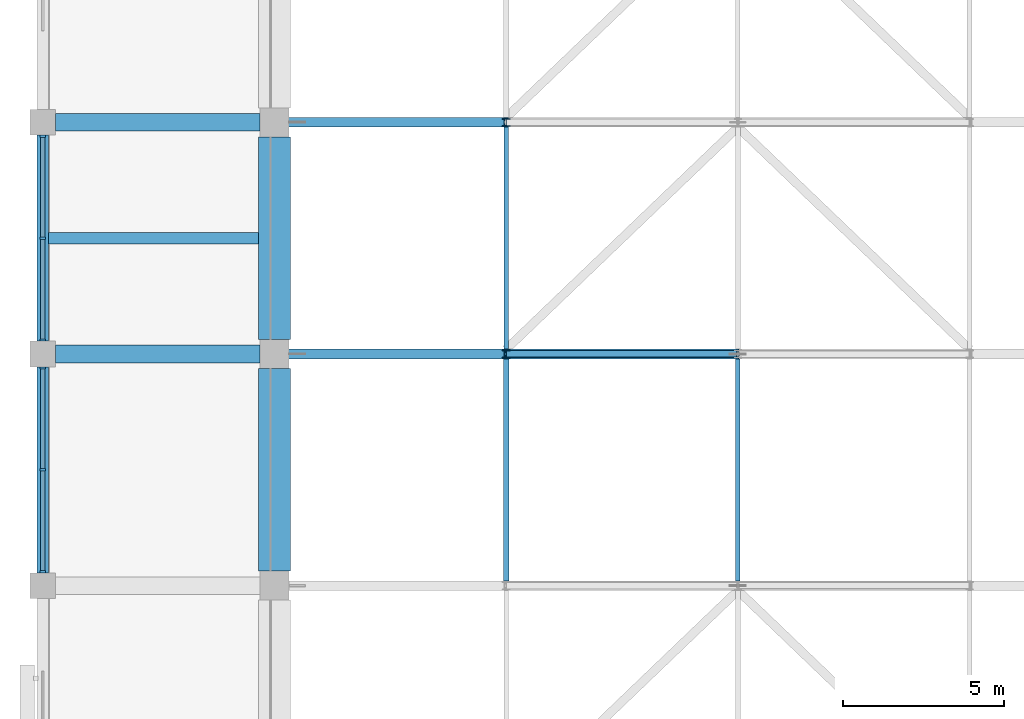
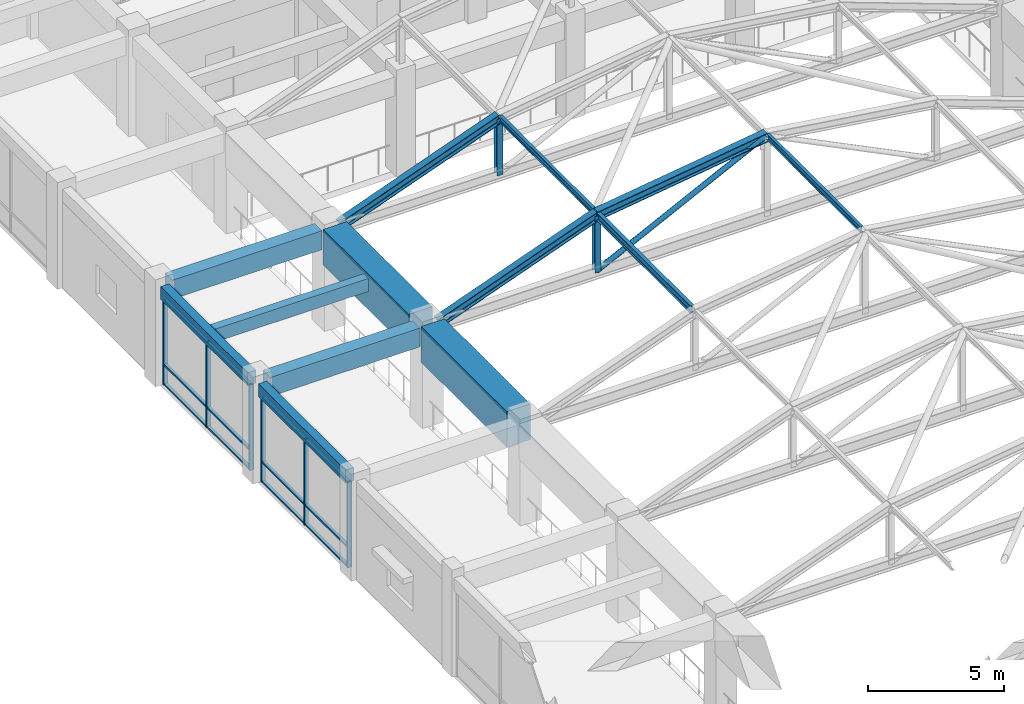
# One storey, part 20 of 75: 27 members, 7 beams, 2 elements without a shape of their own.
"""IFC4 building model written with IfcOpenShell, lengths in metres."""

from ifc_helpers import new_model, si_unit, direction, frame, origin, origin_2d, place, context, subcontext, project, spatial, rectangle, hollow_circle, i_section, extrude, material, layer, layer_set, material_profile, profile_set, type_object, element, aggregate, save


model = new_model("IFC4")

# Units and contexts
model_context = context("Model", 3, precision=1e-05, world=origin(), true_north=direction((0.0, 1.0)))
body_context = subcontext(model_context, "Body", "Model", "MODEL_VIEW")
ifc_project = project(units=[si_unit("LENGTHUNIT", "METRE"), si_unit("AREAUNIT", "SQUARE_METRE"), si_unit("VOLUMEUNIT", "CUBIC_METRE"), si_unit("PLANEANGLEUNIT", "RADIAN"), si_unit("MASSUNIT", "GRAM", prefix="KILO")], contexts=[model_context])

# Site, building, storey
site_placement = place(None, origin())
site = spatial("IfcSite", under=ifc_project, at=site_placement, CompositionType="ELEMENT")
building_placement = place(site_placement, origin())
building = spatial("IfcBuilding", under=site, at=building_placement, Name="Cendaluz Park School", CompositionType="ELEMENT")
storey_placement = place(building_placement, frame((0.0, 0.0, 4.800048828125)))
storey = spatial("IfcBuildingStorey", under=building, at=storey_placement, Name="L01", CompositionType="ELEMENT", Elevation=4.800048828125)

# Beams
ifc_material_1 = material(Name="Concrete C40/50", Category="concrete")
ifc_material_profile_1 = material_profile(ifc_material_1, rectangle(XDim=0.550048828125, YDim=0.85009765625, at=origin_2d()), Name="RC 550x850", Category="concrete")
ifc_profile_set_1 = profile_set([ifc_material_profile_1], Name="Concrete C40/50")
beam_type_1 = type_object("IfcBeamType", Name="BM-RC01", PredefinedType="BEAM", material=ifc_profile_set_1)
for number, where, z_axis, x_axis, name in (
    (1, (0.39990234375, 86.39990234375, 4.0048828125), (1.0, 0.0, 0.0), (0.0, 1.0, 0.0), "BM-L01-BMRC01-0010"),
    (2, (0.39990234375, 93.60009765625, 4.0048828125), (1.0, 0.0, 0.0), (0.0, 1.0, 0.0), "BM-L01-BMRC01-0011"),
):
    element("IfcBeam", number, at=place(storey_placement, frame(where, z_axis=z_axis, x_axis=x_axis)), inside=storey, type_object=beam_type_1, Name=name, PredefinedType="BEAM", context=body_context, shape_type="SweptSolid", body=[
        extrude(rectangle(XDim=0.550048828125, YDim=0.85009765625, at=origin_2d()), origin(), (0.0, 0.0, 1.0), 6.35009765625),
    ])
ifc_material_profile_2 = material_profile(ifc_material_1, rectangle(XDim=0.35009765625, YDim=0.580078125, at=origin_2d()), Name="RC 350x580", Category="concrete")
ifc_profile_set_2 = profile_set([ifc_material_profile_2], Name="Concrete C40/50")
beam_type_2 = type_object("IfcBeamType", Name="BM-RC04", PredefinedType="LINTEL", material=ifc_profile_set_2)
for number, where, z_axis, x_axis, name in (
    (3, (0.0, 79.60009765625, 4.139892578125), (0.0, 1.0, 0.0), (-1.0, 0.0, 0.0), "BM-L01-BMRC04-0232"),
    (4, (0.0, 86.800048828125, 4.139892578125), (0.0, 1.0, 0.0), (-1.0, 0.0, 0.0), "BM-L01-BMRC04-0233"),
):
    element("IfcBeam", number, at=place(storey_placement, frame(where, z_axis=z_axis, x_axis=x_axis)), inside=storey, type_object=beam_type_2, Name=name, PredefinedType="LINTEL", context=body_context, shape_type="SweptSolid", body=[
        extrude(rectangle(XDim=0.35009765625, YDim=0.580078125, at=origin_2d()), origin(), (0.0, 0.0, 1.0), 6.39990234375),
    ])

# Curtain wall, members
ifc_material_2 = material(Name="Anodised Aluminium 6063-T6", Category="aluminium")
ifc_layer = layer(ifc_material_2, 0.179931640625)
ifc_layer_set = layer_set([ifc_layer], Name="Anodised Aluminium 6063-T6")
curtain_wall_type = type_object("IfcCurtainWallType", Name="CW-128x77", PredefinedType="NOTDEFINED", material=ifc_layer_set)
curtain_wall_1_placement = place(storey_placement, origin())
curtain_wall_1 = element("IfcCurtainWall", 5, at=curtain_wall_1_placement, inside=storey, type_object=curtain_wall_type, Name="CW-L01-008", PredefinedType="NOTDEFINED")
ifc_material_profile_3 = material_profile(ifc_material_2, rectangle(XDim=0.179931640625, YDim=0.070068359375, at=origin_2d()), Name="CWM 180x70", Category="aluminium")
ifc_profile_set_3 = profile_set([ifc_material_profile_3], Name="Anodised Aluminium 6063-T6")
member_type_1 = type_object("IfcMemberType", Name="CWM-01", PredefinedType="MULLION", material=ifc_profile_set_3)
member_1_placement = place(storey_placement, frame((0.0, 79.635009765625, 0.0), z_axis=(0.0, 0.0, 1.0), x_axis=(-1.0, 0.0, 0.0)))
member_1 = element("IfcMember", 6, at=member_1_placement, type_object=member_type_1, Name="CP-L01-0092", PredefinedType="MULLION", context=body_context, shape_type="SweptSolid", body=[
    extrude(rectangle(XDim=0.179931640625, YDim=0.070068359375, at=origin_2d()), origin(), (0.0, 0.0, 1.0), 3.849853515625),
])
member_2_placement = place(storey_placement, frame((0.0, 82.800048828125, 0.0), z_axis=(0.0, 0.0, 1.0), x_axis=(-1.0, 0.0, 0.0)))
member_2 = element("IfcMember", 7, at=member_2_placement, type_object=member_type_1, Name="CP-L01-0093", PredefinedType="MULLION", context=body_context, shape_type="SweptSolid", body=[
    extrude(rectangle(XDim=0.179931640625, YDim=0.070068359375, at=origin_2d()), origin(), (0.0, 0.0, 1.0), 3.849853515625),
])
member_3_placement = place(storey_placement, frame((0.0, 85.965087890625, 0.0), z_axis=(0.0, 0.0, 1.0), x_axis=(-1.0, 0.0, 0.0)))
member_3 = element("IfcMember", 8, at=member_3_placement, type_object=member_type_1, Name="CP-L01-0094", PredefinedType="MULLION", context=body_context, shape_type="SweptSolid", body=[
    extrude(rectangle(XDim=0.179931640625, YDim=0.070068359375, at=origin_2d()), origin(), (0.0, 0.0, 1.0), 3.849853515625),
])

curtain_wall_2_placement = place(storey_placement, origin())
curtain_wall_2 = element("IfcCurtainWall", 9, at=curtain_wall_2_placement, inside=storey, type_object=curtain_wall_type, Name="CW-L01-009", PredefinedType="NOTDEFINED")
member_4_placement = place(storey_placement, frame((0.0, 86.8349609375, 0.0), z_axis=(0.0, 0.0, 1.0), x_axis=(-1.0, 0.0, 0.0)))
member_4 = element("IfcMember", 10, at=member_4_placement, type_object=member_type_1, Name="CP-L01-0105", PredefinedType="MULLION", context=body_context, shape_type="SweptSolid", body=[
    extrude(rectangle(XDim=0.179931640625, YDim=0.070068359375, at=origin_2d()), origin(), (0.0, 0.0, 1.0), 3.849853515625),
])
member_5_placement = place(storey_placement, frame((0.0, 90.0, 0.0), z_axis=(0.0, 0.0, 1.0), x_axis=(-1.0, 0.0, 0.0)))
member_5 = element("IfcMember", 11, at=member_5_placement, type_object=member_type_1, Name="CP-L01-0106", PredefinedType="MULLION", context=body_context, shape_type="SweptSolid", body=[
    extrude(rectangle(XDim=0.179931640625, YDim=0.070068359375, at=origin_2d()), origin(), (0.0, 0.0, 1.0), 3.849853515625),
])
member_6_placement = place(storey_placement, frame((0.0, 93.1650390625, 0.0), z_axis=(0.0, 0.0, 1.0), x_axis=(-1.0, 0.0, 0.0)))
member_6 = element("IfcMember", 12, at=member_6_placement, type_object=member_type_1, Name="CP-L01-0107", PredefinedType="MULLION", context=body_context, shape_type="SweptSolid", body=[
    extrude(rectangle(XDim=0.179931640625, YDim=0.070068359375, at=origin_2d()), origin(), (0.0, 0.0, 1.0), 3.849853515625),
])

# Member
ifc_material_profile_4 = material_profile(ifc_material_2, rectangle(XDim=0.139892578125, YDim=0.070068359375, at=origin_2d()), Name="CWT 140x70", Category="aluminium")
ifc_profile_set_4 = profile_set([ifc_material_profile_4], Name="Anodised Aluminium 6063-T6")
member_type_2 = type_object("IfcMemberType", Name="CWT-01", PredefinedType="USERDEFINED", material=ifc_profile_set_4)
member_7_placement = place(storey_placement, frame((0.0, 79.669921875, 0.034912109375), z_axis=(0.0, 1.0, 0.0), x_axis=(-1.0, 0.0, 0.0)))
member_7 = element("IfcMember", 13, at=member_7_placement, type_object=member_type_2, Name="CP-L01-0095", ObjectType="TRANSOM", PredefinedType="USERDEFINED", context=body_context, shape_type="SweptSolid", body=[
    extrude(rectangle(XDim=0.139892578125, YDim=0.070068359375, at=origin_2d()), origin(), (0.0, 0.0, 1.0), 3.094970703125),
])

member_8_placement = place(storey_placement, frame((0.0, 79.669921875, 0.89990234375), z_axis=(0.0, 1.0, 0.0), x_axis=(-1.0, 0.0, 0.0)))
member_8 = element("IfcMember", 14, at=member_8_placement, type_object=member_type_2, Name="CP-L01-0096", ObjectType="TRANSOM", PredefinedType="USERDEFINED", context=body_context, shape_type="SweptSolid", body=[
    extrude(rectangle(XDim=0.139892578125, YDim=0.070068359375, at=origin_2d()), origin(), (0.0, 0.0, 1.0), 3.094970703125),
])

member_9_placement = place(storey_placement, frame((0.0, 79.669921875, 3.81494140625), z_axis=(0.0, 1.0, 0.0), x_axis=(-1.0, 0.0, 0.0)))
member_9 = element("IfcMember", 15, at=member_9_placement, type_object=member_type_2, Name="CP-L01-0097", ObjectType="TRANSOM", PredefinedType="USERDEFINED", context=body_context, shape_type="SweptSolid", body=[
    extrude(rectangle(XDim=0.139892578125, YDim=0.070068359375, at=origin_2d()), origin(), (0.0, 0.0, 1.0), 3.094970703125),
])

member_10_placement = place(storey_placement, frame((0.0, 82.8349609375, 0.034912109375), z_axis=(0.0, 1.0, 0.0), x_axis=(-1.0, 0.0, 0.0)))
member_10 = element("IfcMember", 16, at=member_10_placement, type_object=member_type_2, Name="CP-L01-0100", ObjectType="TRANSOM", PredefinedType="USERDEFINED", context=body_context, shape_type="SweptSolid", body=[
    extrude(rectangle(XDim=0.139892578125, YDim=0.070068359375, at=origin_2d()), origin(), (0.0, 0.0, 1.0), 3.094970703125),
])

member_11_placement = place(storey_placement, frame((0.0, 82.8349609375, 0.89990234375), z_axis=(0.0, 1.0, 0.0), x_axis=(-1.0, 0.0, 0.0)))
member_11 = element("IfcMember", 17, at=member_11_placement, type_object=member_type_2, Name="CP-L01-0101", ObjectType="TRANSOM", PredefinedType="USERDEFINED", context=body_context, shape_type="SweptSolid", body=[
    extrude(rectangle(XDim=0.139892578125, YDim=0.070068359375, at=origin_2d()), origin(), (0.0, 0.0, 1.0), 3.094970703125),
])

member_12_placement = place(storey_placement, frame((0.0, 82.8349609375, 3.81494140625), z_axis=(0.0, 1.0, 0.0), x_axis=(-1.0, 0.0, 0.0)))
member_12 = element("IfcMember", 18, at=member_12_placement, type_object=member_type_2, Name="CP-L01-0102", ObjectType="TRANSOM", PredefinedType="USERDEFINED", context=body_context, shape_type="SweptSolid", body=[
    extrude(rectangle(XDim=0.139892578125, YDim=0.070068359375, at=origin_2d()), origin(), (0.0, 0.0, 1.0), 3.094970703125),
])

aggregate(curtain_wall_1, [member_1, member_2, member_3, member_7, member_8, member_9, member_10, member_11, member_12])

member_13_placement = place(storey_placement, frame((0.0, 86.8701171875, 0.034912109375), z_axis=(0.0, 1.0, 0.0), x_axis=(-1.0, 0.0, 0.0)))
member_13 = element("IfcMember", 19, at=member_13_placement, type_object=member_type_2, Name="CP-L01-0108", ObjectType="TRANSOM", PredefinedType="USERDEFINED", context=body_context, shape_type="SweptSolid", body=[
    extrude(rectangle(XDim=0.139892578125, YDim=0.070068359375, at=origin_2d()), origin(), (0.0, 0.0, 1.0), 3.094970703125),
])

member_14_placement = place(storey_placement, frame((0.0, 86.8701171875, 0.89990234375), z_axis=(0.0, 1.0, 0.0), x_axis=(-1.0, 0.0, 0.0)))
member_14 = element("IfcMember", 20, at=member_14_placement, type_object=member_type_2, Name="CP-L01-0109", ObjectType="TRANSOM", PredefinedType="USERDEFINED", context=body_context, shape_type="SweptSolid", body=[
    extrude(rectangle(XDim=0.139892578125, YDim=0.070068359375, at=origin_2d()), origin(), (0.0, 0.0, 1.0), 3.094970703125),
])

member_15_placement = place(storey_placement, frame((0.0, 86.8701171875, 3.81494140625), z_axis=(0.0, 1.0, 0.0), x_axis=(-1.0, 0.0, 0.0)))
member_15 = element("IfcMember", 21, at=member_15_placement, type_object=member_type_2, Name="CP-L01-0110", ObjectType="TRANSOM", PredefinedType="USERDEFINED", context=body_context, shape_type="SweptSolid", body=[
    extrude(rectangle(XDim=0.139892578125, YDim=0.070068359375, at=origin_2d()), origin(), (0.0, 0.0, 1.0), 3.094970703125),
])

member_16_placement = place(storey_placement, frame((0.0, 90.034912109375, 0.034912109375), z_axis=(0.0, 1.0, 0.0), x_axis=(-1.0, 0.0, 0.0)))
member_16 = element("IfcMember", 22, at=member_16_placement, type_object=member_type_2, Name="CP-L01-0113", ObjectType="TRANSOM", PredefinedType="USERDEFINED", context=body_context, shape_type="SweptSolid", body=[
    extrude(rectangle(XDim=0.139892578125, YDim=0.070068359375, at=origin_2d()), origin(), (0.0, 0.0, 1.0), 3.094970703125),
])

member_17_placement = place(storey_placement, frame((0.0, 90.034912109375, 0.89990234375), z_axis=(0.0, 1.0, 0.0), x_axis=(-1.0, 0.0, 0.0)))
member_17 = element("IfcMember", 23, at=member_17_placement, type_object=member_type_2, Name="CP-L01-0114", ObjectType="TRANSOM", PredefinedType="USERDEFINED", context=body_context, shape_type="SweptSolid", body=[
    extrude(rectangle(XDim=0.139892578125, YDim=0.070068359375, at=origin_2d()), origin(), (0.0, 0.0, 1.0), 3.094970703125),
])

member_18_placement = place(storey_placement, frame((0.0, 90.034912109375, 3.81494140625), z_axis=(0.0, 1.0, 0.0), x_axis=(-1.0, 0.0, 0.0)))
member_18 = element("IfcMember", 24, at=member_18_placement, type_object=member_type_2, Name="CP-L01-0115", ObjectType="TRANSOM", PredefinedType="USERDEFINED", context=body_context, shape_type="SweptSolid", body=[
    extrude(rectangle(XDim=0.139892578125, YDim=0.070068359375, at=origin_2d()), origin(), (0.0, 0.0, 1.0), 3.094970703125),
])

aggregate(curtain_wall_2, [member_4, member_5, member_6, member_13, member_14, member_15, member_16, member_17, member_18])

# Beam
ifc_material_profile_5 = material_profile(ifc_material_1, rectangle(XDim=0.35009765625, YDim=0.580078125, at=origin_2d()), Name="RC 350x580", Category="concrete")
ifc_profile_set_5 = profile_set([ifc_material_profile_5], Name="Concrete C40/50")
beam_type_3 = type_object("IfcBeamType", Name="JT-RC01", PredefinedType="JOIST", material=ifc_profile_set_5)
beam_1_placement = place(storey_placement, frame((0.175048828125, 90.0, 4.139892578125), z_axis=(1.0, 0.0, 0.0), x_axis=(0.0, 1.0, 0.0)))
element("IfcBeam", 25, at=beam_1_placement, inside=storey, type_object=beam_type_3, Name="BM-L01-JTRC01-0468", PredefinedType="JOIST", context=body_context, shape_type="SweptSolid", body=[
    extrude(rectangle(XDim=0.35009765625, YDim=0.580078125, at=origin_2d()), origin(), (0.0, 0.0, 1.0), 6.52490234375),
])

# Members
ifc_material_3 = material(Name="Steel S355", Category="steel")
ifc_material_profile_6 = material_profile(ifc_material_3, i_section(OverallWidth=0.300048828125, OverallDepth=0.39990234375, WebThickness=0.013916015625, FlangeThickness=0.02392578125, FilletRadius=0.027099609375, at=origin_2d()), Name="HEB 400", Category="steel")
ifc_profile_set_6 = profile_set([ifc_material_profile_6], Name="Steel S355")
member_type_3 = type_object("IfcMemberType", Name="MB-CH01", PredefinedType="CHORD", material=ifc_profile_set_6)
member_19_placement = place(storey_placement, frame((7.64990234375, 86.39990234375, 4.219970703125), z_axis=(0.939102267455, 0.0, 0.343637790793), x_axis=(0.0, 1.0, 0.0)))
element("IfcMember", 26, at=member_19_placement, inside=storey, type_object=member_type_3, Name="MB-L01-MBCH01-0035", PredefinedType="CHORD", context=body_context, shape_type="SweptSolid", body=[
    extrude(i_section(OverallWidth=0.300048828125, OverallDepth=0.39990234375, WebThickness=0.013916015625, FlangeThickness=0.02392578125, FilletRadius=0.027099609375, at=origin_2d()), origin(), (0.0, 0.0, 1.0), 7.187744140625),
])
member_20_placement = place(storey_placement, frame((14.39990234375, 86.39990234375, 6.68994140625), z_axis=(0.990113994111, 0.0, 0.140265030089), x_axis=(0.0, 1.0, 0.0)))
element("IfcMember", 27, at=member_20_placement, inside=storey, type_object=member_type_3, Name="MB-L01-MBCH01-0036", PredefinedType="CHORD", context=body_context, shape_type="SweptSolid", body=[
    extrude(i_section(OverallWidth=0.300048828125, OverallDepth=0.39990234375, WebThickness=0.013916015625, FlangeThickness=0.02392578125, FilletRadius=0.027099609375, at=origin_2d()), origin(), (0.0, 0.0, 1.0), 7.27197265625),
])
member_21_placement = place(storey_placement, frame((7.64990234375, 93.60009765625, 4.219970703125), z_axis=(0.939102267455, 0.0, 0.343637790793), x_axis=(0.0, 1.0, 0.0)))
element("IfcMember", 28, at=member_21_placement, inside=storey, type_object=member_type_3, Name="MB-L01-MBCH01-0044", PredefinedType="CHORD", context=body_context, shape_type="SweptSolid", body=[
    extrude(i_section(OverallWidth=0.300048828125, OverallDepth=0.39990234375, WebThickness=0.013916015625, FlangeThickness=0.02392578125, FilletRadius=0.027099609375, at=origin_2d()), origin(), (0.0, 0.0, 1.0), 7.187744140625),
])
ifc_material_profile_7 = material_profile(ifc_material_3, i_section(OverallWidth=0.135009765625, OverallDepth=0.27001953125, WebThickness=0.007080078125, FlangeThickness=0.010009765625, FilletRadius=0.014892578125, at=origin_2d()), Name="IPE 270", Category="steel")
ifc_profile_set_7 = profile_set([ifc_material_profile_7], Name="Steel S355")
member_type_4 = type_object("IfcMemberType", Name="MB-PR01", PredefinedType="PURLIN", material=ifc_profile_set_7)
for number, where, z_axis, x_axis, name in (
    (29, (21.60009765625, 79.35009765625, 7.764892578125), (0.0, 1.0, 0.0), (-1.0, 0.0, 0.0), "MB-L01-MBPR01-0076"),
    (30, (14.39990234375, 86.550048828125, 6.73486328125), (0.0, 1.0, 0.0), (-1.0, 0.0, 0.0), "MB-L01-MBPR01-0078"),
):
    element("IfcMember", number, at=place(storey_placement, frame(where, z_axis=z_axis, x_axis=x_axis)), inside=storey, type_object=member_type_4, Name=name, PredefinedType="PURLIN", context=body_context, shape_type="SweptSolid", body=[
        extrude(i_section(OverallWidth=0.135009765625, OverallDepth=0.27001953125, WebThickness=0.007080078125, FlangeThickness=0.010009765625, FilletRadius=0.014892578125, at=origin_2d()), origin(), (0.0, 0.0, 1.0), 6.89990234375),
    ])
ifc_material_profile_8 = material_profile(ifc_material_3, i_section(OverallWidth=0.159912109375, OverallDepth=0.330078125, WebThickness=0.008056640625, FlangeThickness=0.011962890625, FilletRadius=0.01806640625, at=origin_2d()), Name="IPE 330", Category="steel")
ifc_profile_set_8 = profile_set([ifc_material_profile_8], Name="Steel S355")
member_type_5 = type_object("IfcMemberType", Name="MB-PR02", PredefinedType="PURLIN", material=ifc_profile_set_8)
member_22_placement = place(storey_placement, frame((14.39990234375, 79.35009765625, 6.704833984375), z_axis=(0.0, 1.0, 0.0), x_axis=(-1.0, 0.0, 0.0)))
element("IfcMember", 31, at=member_22_placement, inside=storey, type_object=member_type_5, Name="MB-L01-MBPR02-0075", PredefinedType="PURLIN", context=body_context, shape_type="SweptSolid", body=[
    extrude(i_section(OverallWidth=0.159912109375, OverallDepth=0.330078125, WebThickness=0.008056640625, FlangeThickness=0.011962890625, FilletRadius=0.01806640625, at=origin_2d()), origin(), (0.0, 0.0, 1.0), 6.89990234375),
])
ifc_material_profile_9 = material_profile(ifc_material_3, hollow_circle(Radius=0.109619140625, WallThickness=0.010009765625, at=origin_2d()), Name="CHS 219x10", Category="steel")
ifc_profile_set_9 = profile_set([ifc_material_profile_9], Name="Steel S355")
member_type_6 = type_object("IfcMemberType", Name="MBR-02", PredefinedType="BRACE", material=ifc_profile_set_9)
member_23_placement = place(storey_placement, frame((14.39990234375, 86.39990234375, 4.14990234375), z_axis=(0.896412219401, 0.0, 0.443221313689), x_axis=(0.0, 1.0, 0.0)))
element("IfcMember", 32, at=member_23_placement, inside=storey, type_object=member_type_6, Name="MB-L01-MBBR02-0042", PredefinedType="BRACE", context=body_context, shape_type="SweptSolid", body=[
    extrude(hollow_circle(Radius=0.109619140625, WallThickness=0.010009765625, at=origin_2d()), origin(), (0.0, 0.0, 1.0), 8.0322265625),
])
ifc_material_profile_10 = material_profile(ifc_material_3, i_section(OverallWidth=0.239990234375, OverallDepth=0.22998046875, WebThickness=0.008056640625, FlangeThickness=0.011962890625, FilletRadius=0.02099609375, at=origin_2d()), Name="HEA 240", Category="steel")
ifc_profile_set_10 = profile_set([ifc_material_profile_10], Name="Steel S355")
member_type_7 = type_object("IfcMemberType", Name="MST-01", PredefinedType="STRUT", material=ifc_profile_set_10)
for number, where, z_axis, x_axis, name in (
    (33, (14.39990234375, 86.39990234375, 4.14990234375), (0.0, 0.0, 1.0), (1.0, 0.0, 0.0), "MB-L01-MBST01-0039"),
    (34, (14.39990234375, 93.60009765625, 4.14990234375), (0.0, 0.0, 1.0), (1.0, 0.0, 0.0), "MB-L01-MBST01-0048"),
):
    element("IfcMember", number, at=place(storey_placement, frame(where, z_axis=z_axis, x_axis=x_axis)), inside=storey, type_object=member_type_7, Name=name, PredefinedType="STRUT", context=body_context, shape_type="SweptSolid", body=[
        extrude(i_section(OverallWidth=0.239990234375, OverallDepth=0.22998046875, WebThickness=0.008056640625, FlangeThickness=0.011962890625, FilletRadius=0.02099609375, at=origin_2d()), origin(), (0.0, 0.0, 1.0), 2.5400390625),
    ])

# Beams
ifc_material_profile_11 = material_profile(ifc_material_1, rectangle(XDim=1.0, YDim=1.60009765625, at=origin_2d()), Name="RC 1000x1600", Category="concrete")
ifc_profile_set_11 = profile_set([ifc_material_profile_11], Name="Concrete C40/50")
beam_type_4 = type_object("IfcBeamType", Name="TG-RC01", PredefinedType="BEAM", material=ifc_profile_set_11)
beam_2_placement = place(storey_placement, frame((7.199951171875, 79.64990234375, 3.820068359375), z_axis=(0.0, 1.0, 0.0), x_axis=(-1.0, 0.0, 0.0)))
element("IfcBeam", 35, at=beam_2_placement, inside=storey, type_object=beam_type_4, Name="Barrel Vault Collector Girder BM-L01-TGRC01-0244", PredefinedType="BEAM", context=body_context, shape_type="SweptSolid", body=[
    extrude(rectangle(XDim=1.0, YDim=1.60009765625, at=origin_2d()), origin(), (0.0, 0.0, 1.0), 6.300048828125),
])
beam_3_placement = place(storey_placement, frame((7.199951171875, 86.85009765625, 3.820068359375), z_axis=(0.0, 1.0, 0.0), x_axis=(-1.0, 0.0, 0.0)))
element("IfcBeam", 36, at=beam_3_placement, inside=storey, type_object=beam_type_4, Name="Barrel Vault Collector Girder BM-L01-TGRC01-0245", PredefinedType="BEAM", context=body_context, shape_type="SweptSolid", body=[
    extrude(rectangle(XDim=1.0, YDim=1.60009765625, at=origin_2d()), origin(), (0.0, 0.0, 1.0), 6.2998046875),
])

save(model, "model.ifc")
